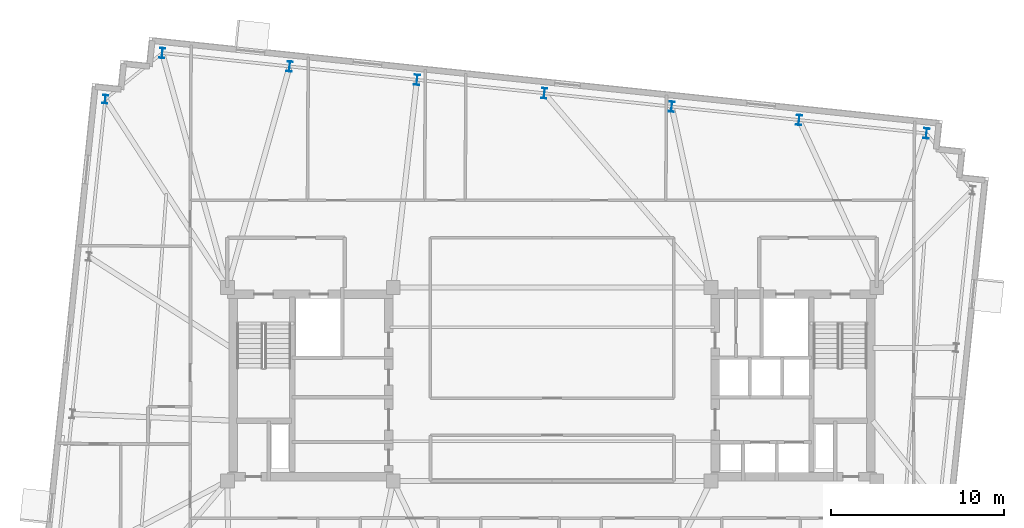
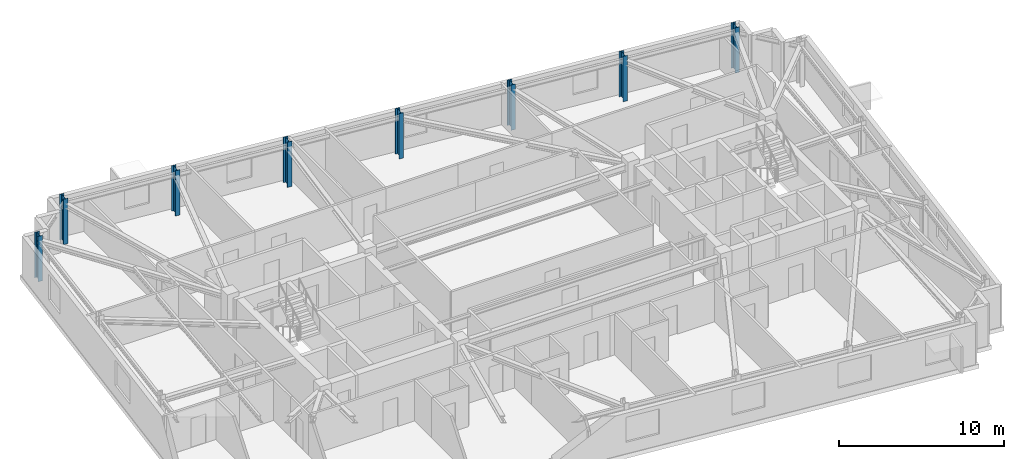
# One storey, part 3 of 11: 8 columns.
"""IFC4 building model written with IfcOpenShell, lengths in metres."""

from ifc_helpers import new_model, si_unit, direction, frame, origin, origin_2d, place, context, subcontext, project, spatial, i_section, extrude, material, material_profile, profile_set, type_object, element, save


model = new_model("IFC4")

# Units and contexts
model_context = context("Model", 3, precision=1e-05, world=origin(), true_north=direction((0.0, 1.0)))
body_context = subcontext(model_context, "Body", "Model", "MODEL_VIEW")
ifc_project = project(units=[si_unit("LENGTHUNIT", "METRE"), si_unit("AREAUNIT", "SQUARE_METRE"), si_unit("VOLUMEUNIT", "CUBIC_METRE"), si_unit("PLANEANGLEUNIT", "RADIAN"), si_unit("MASSUNIT", "GRAM", prefix="KILO")], contexts=[model_context])

# Site, building, storey
site_placement = place(None, origin())
site = spatial("IfcSite", under=ifc_project, at=site_placement, CompositionType="ELEMENT")
building_placement = place(site_placement, origin())
building = spatial("IfcBuilding", under=site, at=building_placement, Name="Qobustan Lattice House", CompositionType="ELEMENT")
storey_placement = place(building_placement, frame((0.0, 0.0, 219.85009765625)))
storey = spatial("IfcBuildingStorey", under=building, at=storey_placement, Name="L62", CompositionType="ELEMENT", Elevation=219.85009765625)

# Columns
ifc_material_1 = material(Name="Steel S355", Category="steel")
ifc_material_profile_1 = material_profile(ifc_material_1, i_section(OverallWidth=0.300048828125, OverallDepth=0.5, WebThickness=0.014404296875, FlangeThickness=0.028076171875, FilletRadius=0.027099609375, at=origin_2d()), Name="HEB500")
ifc_profile_set_1 = profile_set([ifc_material_profile_1], Name="Steel S355")
column_type_1 = type_object("IfcColumnType", Name="COL-ST-HEB500", PredefinedType="COLUMN", material=ifc_profile_set_1)
column_placement = place(storey_placement, frame((-25.87451171875, 16.513916015625, 0.0), z_axis=(0.0, 0.0, 1.0), x_axis=(0.994521895368, -0.104528463268, 0.0)))
element("IfcColumn", 1, at=column_placement, inside=storey, type_object=column_type_1, Name="L62 B4 perimeter column W1", PredefinedType="COLUMN", context=body_context, shape_type="SweptSolid", body=[
    extrude(i_section(OverallWidth=0.300048828125, OverallDepth=0.5, WebThickness=0.014404296875, FlangeThickness=0.028076171875, FilletRadius=0.027099609375, at=origin_2d()), origin(), (0.0, 0.0, 1.0), 3.349853515625),
])
ifc_material_2 = material(Name="Steel S355", Category="steel")
ifc_material_profile_2 = material_profile(ifc_material_2, i_section(OverallWidth=0.300048828125, OverallDepth=0.60009765625, WebThickness=0.015380859375, FlangeThickness=0.030029296875, FilletRadius=0.027099609375, at=origin_2d()), Name="HEB600")
ifc_profile_set_2 = profile_set([ifc_material_profile_2], Name="Steel S355")
column_type_2 = type_object("IfcColumnType", Name="COL-ST-HEB600", PredefinedType="COLUMN", material=ifc_profile_set_2)
for number, where, z_axis, x_axis, name in (
    (2, (21.678955078125, 14.532470703125, 0.0), (0.0, 0.0, 1.0), (0.994521895368, -0.104528463268, 0.0), "L62 B4 perimeter column N1"),
    (3, (14.302978515625, 15.3076171875, 0.0), (0.0, 0.0, 1.0), (0.994521895368, -0.104528463268, 0.0), "L62 B4 perimeter column N2"),
    (4, (6.927001953125, 16.0830078125, 0.0), (0.0, 0.0, 1.0), (0.994521895368, -0.104528463268, 0.0), "L62 B4 perimeter column N3"),
    (5, (-0.44921875, 16.858154296875, 0.0), (0.0, 0.0, 1.0), (0.994521895368, -0.104528463268, 0.0), "L62 B4 perimeter column N4"),
    (6, (-7.8251953125, 17.633544921875, 0.0), (0.0, 0.0, 1.0), (0.994521895368, -0.104528463268, 0.0), "L62 B4 perimeter column N5"),
    (7, (-15.201171875, 18.40869140625, 0.0), (0.0, 0.0, 1.0), (0.994521895368, -0.104528463268, 0.0), "L62 B4 perimeter column N6"),
    (8, (-22.577392578125, 19.18408203125, 0.0), (0.0, 0.0, 1.0), (0.994521895368, -0.104528463268, 0.0), "L62 B4 perimeter column N7"),
):
    element("IfcColumn", number, at=place(storey_placement, frame(where, z_axis=z_axis, x_axis=x_axis)), inside=storey, type_object=column_type_2, Name=name, PredefinedType="COLUMN", context=body_context, shape_type="SweptSolid", body=[
        extrude(i_section(OverallWidth=0.300048828125, OverallDepth=0.60009765625, WebThickness=0.015380859375, FlangeThickness=0.030029296875, FilletRadius=0.027099609375, at=origin_2d()), origin(), (0.0, 0.0, 1.0), 3.349853515625),
    ])

save(model, "model.ifc")
